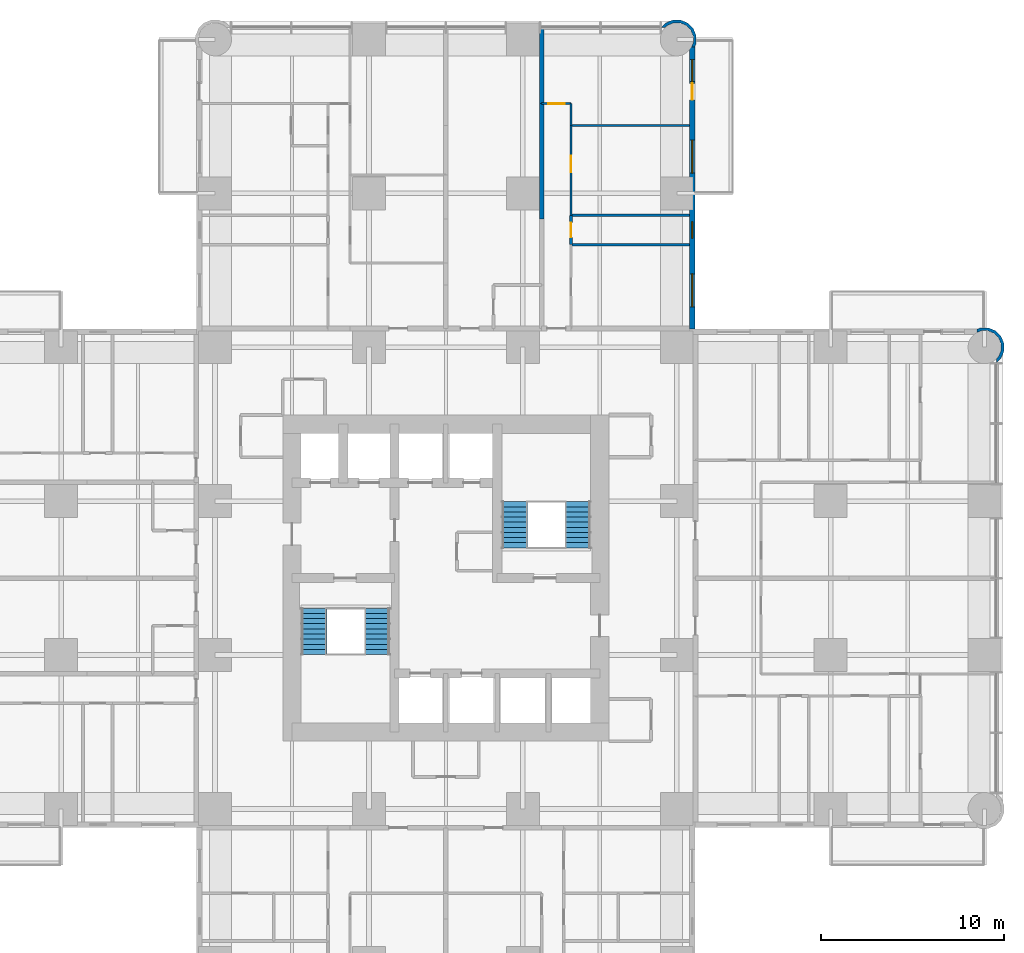
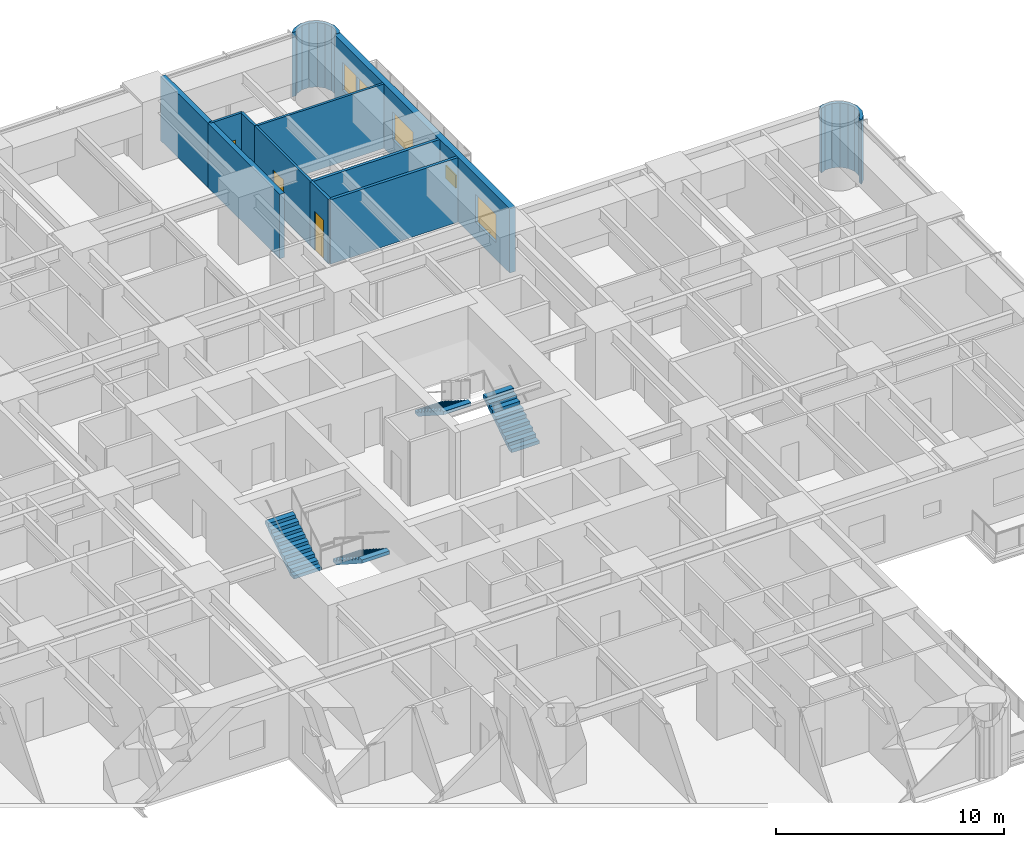
# One storey, part 15 of 17: 12 walls, 4 doors, 4 stair flights, 4 windows, 8 openings, 2 elements without a shape of their own.
"""IFC4 building model written with IfcOpenShell, lengths in metres."""

from ifc_helpers import new_model, si_unit, direction, frame, frame_2d, origin, place, context, subcontext, project, spatial, polyline, rectangle, outline, extrude, material, layer, layer_set, type_object, element, fill, aggregate, save


model = new_model("IFC4")

# Units and contexts
model_context = context("Model", 3, precision=1e-05, world=origin(), true_north=direction((0.0, 1.0)))
body_context = subcontext(model_context, "Body", "Model", "MODEL_VIEW")
ifc_project = project(units=[si_unit("LENGTHUNIT", "METRE"), si_unit("AREAUNIT", "SQUARE_METRE"), si_unit("VOLUMEUNIT", "CUBIC_METRE"), si_unit("PLANEANGLEUNIT", "RADIAN"), si_unit("MASSUNIT", "GRAM", prefix="KILO")], contexts=[model_context])

# Site, building, storey
site_placement = place(None, origin())
site = spatial("IfcSite", under=ifc_project, at=site_placement, CompositionType="ELEMENT")
building_placement = place(site_placement, origin())
building = spatial("IfcBuilding", under=site, at=building_placement, Name="Torre Alcanfor", CompositionType="ELEMENT")
storey_placement = place(building_placement, frame((0.0, 0.0, 63.300048828125)))
storey = spatial("IfcBuildingStorey", under=building, at=storey_placement, Name="L15", CompositionType="ELEMENT", Elevation=63.300048828125)

# Wall, opening, door
ifc_material_1 = material(Name="Gypsum board on steel studs", Category="steel")
ifc_layer_1 = layer(ifc_material_1, 0.1201171875)
ifc_layer_set_1 = layer_set([ifc_layer_1], Name="Apartment partition 120")
wall_type_1 = type_object("IfcWallType", Name="Apartment partition 120", PredefinedType="PARTITIONING", material=ifc_layer_set_1)
wall_1_placement = place(storey_placement, frame((36.22900390625, 54.10009765625, 0.0), z_axis=(0.0, 0.0, 1.0), x_axis=(0.0, -1.0, 0.0)))
wall_1 = element("IfcWall", 1, at=wall_1_placement, inside=storey, type_object=wall_type_1, Name="Partition L15-N2B-HALL / L15-N2B-MASTER", PredefinedType="PARTITIONING", context=body_context, shape_type="SweptSolid", body=[
    extrude(rectangle(XDim=4.900146484375, YDim=0.1201171875, at=frame_2d((2.4501953125, 0.0))), origin(), (0.0, 0.0, 1.0), 3.449951171875),
])
opening_1_placement = place(wall_1_placement, frame((1.64990234375, 0.0, 0.0)))
opening_1 = element("IfcOpeningElement", 2, at=opening_1_placement, cuts=wall_1, Name="Opening D-R1", PredefinedType="OPENING", context=body_context, shape_type="SweptSolid", body=[
    extrude(rectangle(XDim=0.89990234375, YDim=2.10009765625, at=frame_2d((0.449951171875, 1.050048828125))), frame((0.0, 0.070068359375, 0.0), z_axis=(0.0, -1.0, 0.0), x_axis=(1.0, 0.0, 0.0)), (0.0, 0.0, 1.0), 0.14013671875),
])
ifc_material_2 = material(Name="Timber", Category="wood")
door_type_1 = type_object("IfcDoorType", Name="Internal door 900x2100", OperationType="SINGLE_SWING_LEFT", PredefinedType="DOOR", material=ifc_material_2)
door_1_placement = place(opening_1_placement, origin())
door_1 = element("IfcDoor", 3, at=door_1_placement, inside=storey, type_object=door_type_1, Name="Door L15-N2B master", OperationType="SINGLE_SWING_LEFT", OverallHeight=2.10009765625, OverallWidth=0.89990234375, PredefinedType="DOOR", context=body_context, shape_type="SweptSolid", body=[
    extrude(rectangle(XDim=0.89990234375, YDim=2.10009765625, at=frame_2d((0.449951171875, 1.050048828125))), frame((0.0, 0.02490234375, 0.0), z_axis=(0.0, -1.0, 0.0), x_axis=(1.0, 0.0, 0.0)), (0.0, 0.0, 1.0), 0.050048828125),
])
fill(opening_1, door_1)

# Wall
wall_2_placement = place(storey_placement, frame((36.22900390625, 55.300048828125, 0.0), z_axis=(0.0, 0.0, 1.0), x_axis=(0.0, -1.0, 0.0)))
element("IfcWall", 4, at=wall_2_placement, inside=storey, type_object=wall_type_1, Name="Partition L15-N2B-HALL / L15-N2B-KITCHEN", PredefinedType="PARTITIONING", context=body_context, shape_type="SweptSolid", body=[
    extrude(rectangle(XDim=1.199951171875, YDim=0.1201171875, at=frame_2d((0.60009765625, 0.0))), origin(), (0.0, 0.0, 1.0), 3.449951171875),
])

# Wall, opening, door
wall_3_placement = place(storey_placement, frame((34.62890625, 55.300048828125, 0.0), z_axis=(0.0, 0.0, 1.0), x_axis=(1.0, 0.0, 0.0)))
wall_3 = element("IfcWall", 5, at=wall_3_placement, inside=storey, type_object=wall_type_1, Name="Partition L15-N2B-HALL / L15-N2B-LIVING", PredefinedType="PARTITIONING", context=body_context, shape_type="SweptSolid", body=[
    extrude(rectangle(XDim=1.60009765625, YDim=0.1201171875, at=frame_2d((0.800048828125, 0.0))), origin(), (0.0, 0.0, 1.0), 3.449951171875),
])
opening_2_placement = place(wall_3_placement, frame((0.35009765625, 0.0, 0.0)))
opening_2 = element("IfcOpeningElement", 6, at=opening_2_placement, cuts=wall_3, Name="Opening D-R1", PredefinedType="OPENING", context=body_context, shape_type="SweptSolid", body=[
    extrude(rectangle(XDim=0.89990234375, YDim=2.10009765625, at=frame_2d((0.449951171875, 1.050048828125))), frame((0.0, 0.070068359375, 0.0), z_axis=(0.0, -1.0, 0.0), x_axis=(1.0, 0.0, 0.0)), (0.0, 0.0, 1.0), 0.14013671875),
])
door_2_placement = place(opening_2_placement, origin())
door_2 = element("IfcDoor", 7, at=door_2_placement, inside=storey, type_object=door_type_1, Name="Door L15-N2B living", OperationType="SINGLE_SWING_LEFT", OverallHeight=2.10009765625, OverallWidth=0.89990234375, PredefinedType="DOOR", context=body_context, shape_type="SweptSolid", body=[
    extrude(rectangle(XDim=0.89990234375, YDim=2.10009765625, at=frame_2d((0.449951171875, 1.050048828125))), frame((0.0, 0.02490234375, 0.0), z_axis=(0.0, -1.0, 0.0), x_axis=(1.0, 0.0, 0.0)), (0.0, 0.0, 1.0), 0.050048828125),
])
fill(opening_2, door_2)

# Wall
wall_4_placement = place(storey_placement, frame((36.22900390625, 54.10009765625, 0.0), z_axis=(0.0, 0.0, 1.0), x_axis=(1.0, 0.0, 0.0)))
element("IfcWall", 8, at=wall_4_placement, inside=storey, type_object=wall_type_1, Name="Partition L15-N2B-MASTER / L15-N2B-KITCHEN", PredefinedType="PARTITIONING", context=body_context, shape_type="SweptSolid", body=[
    extrude(rectangle(XDim=6.470947265625, YDim=0.1201171875, at=frame_2d((3.2353515625, 0.0))), origin(), (0.0, 0.0, 1.0), 3.449951171875),
])

# Wall, openings, door, windows
ifc_material_3 = material(Name="Limestone cladding", Category="masonry")
ifc_layer_2 = layer(ifc_material_3, 0.0400390625, Name="Facing")
ifc_material_4 = material(Name="Ventilated air cavity")
ifc_layer_3 = layer(ifc_material_4, 0.02001953125, ventilated=True, Name="Ventilated joint")
ifc_material_5 = material(Name="Mineral wool insulation", Category="insulation")
ifc_layer_4 = layer(ifc_material_5, 0.10009765625, Name="Insulation")
ifc_material_6 = material(Name="Concrete f'c 35 MPa", Category="concrete")
ifc_layer_5 = layer(ifc_material_6, 0.139892578125, Name="Backing")
ifc_layer_set_2 = layer_set([ifc_layer_2, ifc_layer_3, ifc_layer_4, ifc_layer_5], Name="External wall stone-clad 300")
wall_type_2 = type_object("IfcWallType", Name="External wall stone-clad 300", PredefinedType="SOLIDWALL", material=ifc_layer_set_2)
wall_5_placement = place(storey_placement, frame((42.85009765625, 43.0, 0.0), z_axis=(0.0, 0.0, 1.0), x_axis=(0.0, 1.0, 0.0)))
wall_5 = element("IfcWall", 9, at=wall_5_placement, inside=storey, type_object=wall_type_2, Name="External wall L15 10", PredefinedType="SOLIDWALL", context=body_context, shape_type="SweptSolid", body=[
    extrude(rectangle(XDim=15.39990234375, YDim=0.300048828125, at=frame_2d((7.699951171875, 0.0))), origin(), (0.0, 0.0, 1.0), 3.449951171875),
])
opening_3_placement = place(wall_5_placement, frame((1.199951171875, 0.0, 0.89990234375)))
opening_3 = element("IfcOpeningElement", 10, at=opening_3_placement, cuts=wall_5, Name="Opening W2", PredefinedType="OPENING", context=body_context, shape_type="SweptSolid", body=[
    extrude(rectangle(XDim=1.800048828125, YDim=1.5, at=frame_2d((0.89990234375, 0.75))), frame((0.0, 0.159912109375, 0.0), z_axis=(0.0, -1.0, 0.0), x_axis=(1.0, 0.0, 0.0)), (0.0, 0.0, 1.0), 0.320068359375),
])
opening_4_placement = place(wall_5_placement, frame((4.949951171875, 0.0, 1.5)))
opening_4 = element("IfcOpeningElement", 11, at=opening_4_placement, cuts=wall_5, Name="Opening W3", PredefinedType="OPENING", context=body_context, shape_type="SweptSolid", body=[
    extrude(rectangle(XDim=0.89990234375, YDim=0.699951171875, at=frame_2d((0.449951171875, 0.35009765625))), frame((0.0, 0.159912109375, 0.0), z_axis=(0.0, -1.0, 0.0), x_axis=(1.0, 0.0, 0.0)), (0.0, 0.0, 1.0), 0.320068359375),
])
opening_5_placement = place(wall_5_placement, frame((8.5, 0.0, 0.89990234375)))
opening_5 = element("IfcOpeningElement", 12, at=opening_5_placement, cuts=wall_5, Name="Opening W2", PredefinedType="OPENING", context=body_context, shape_type="SweptSolid", body=[
    extrude(rectangle(XDim=1.800048828125, YDim=1.5, at=frame_2d((0.89990234375, 0.75))), frame((0.0, 0.159912109375, 0.0), z_axis=(0.0, -1.0, 0.0), x_axis=(1.0, 0.0, 0.0)), (0.0, 0.0, 1.0), 0.320068359375),
])
opening_6_placement = place(wall_5_placement, frame((12.5, 0.0, 0.0)))
opening_6 = element("IfcOpeningElement", 13, at=opening_6_placement, cuts=wall_5, Name="Opening D-B1", PredefinedType="OPENING", context=body_context, shape_type="SweptSolid", body=[
    extrude(rectangle(XDim=0.89990234375, YDim=2.39990234375, at=frame_2d((0.449951171875, 1.199951171875))), frame((0.0, 0.159912109375, 0.0), z_axis=(0.0, -1.0, 0.0), x_axis=(1.0, 0.0, 0.0)), (0.0, 0.0, 1.0), 0.320068359375),
])
opening_7_placement = place(wall_5_placement, frame((13.5, 0.0, 0.89990234375)))
opening_7 = element("IfcOpeningElement", 14, at=opening_7_placement, cuts=wall_5, Name="Opening W4", PredefinedType="OPENING", context=body_context, shape_type="SweptSolid", body=[
    extrude(rectangle(XDim=1.199951171875, YDim=1.5, at=frame_2d((0.60009765625, 0.75))), frame((0.0, 0.159912109375, 0.0), z_axis=(0.0, -1.0, 0.0), x_axis=(1.0, 0.0, 0.0)), (0.0, 0.0, 1.0), 0.320068359375),
])
ifc_material_7 = material(Name="Aluminium and glass", Category="aluminium")
door_type_2 = type_object("IfcDoorType", Name="Balcony door glazed 900x2400", OperationType="SINGLE_SWING_LEFT", PredefinedType="DOOR", material=ifc_material_7)
door_3_placement = place(opening_6_placement, origin())
door_3 = element("IfcDoor", 15, at=door_3_placement, inside=storey, type_object=door_type_2, Name="Balcony door L15-N2", OperationType="SINGLE_SWING_LEFT", OverallHeight=2.39990234375, OverallWidth=0.89990234375, PredefinedType="DOOR", context=body_context, shape_type="SweptSolid", body=[
    extrude(rectangle(XDim=0.89990234375, YDim=2.39990234375, at=frame_2d((0.449951171875, 1.199951171875))), frame((0.0, 0.02490234375, 0.0), z_axis=(0.0, -1.0, 0.0), x_axis=(1.0, 0.0, 0.0)), (0.0, 0.0, 1.0), 0.050048828125),
])
fill(opening_6, door_3)
ifc_material_8 = material(Name="Aluminium frame with clear double glazing", Category="aluminium")
window_type_1 = type_object("IfcWindowType", Name="Window bathroom 900x700", PartitioningType="SINGLE_PANEL", PredefinedType="WINDOW", material=ifc_material_8)
window_1_placement = place(opening_4_placement, origin())
window_1 = element("IfcWindow", 16, at=window_1_placement, inside=storey, type_object=window_type_1, Name="Window W3 L15-N2", OverallHeight=0.699951171875, OverallWidth=0.89990234375, PartitioningType="SINGLE_PANEL", PredefinedType="WINDOW", context=body_context, shape_type="SweptSolid", body=[
    extrude(rectangle(XDim=0.89990234375, YDim=0.699951171875, at=frame_2d((0.449951171875, 0.35009765625))), frame((0.0, 0.030029296875, 0.0), z_axis=(0.0, -1.0, 0.0), x_axis=(1.0, 0.0, 0.0)), (0.0, 0.0, 1.0), 0.06005859375),
])
fill(opening_4, window_1)
ifc_material_9 = material(Name="Aluminium frame with clear double glazing", Category="aluminium")
window_type_2 = type_object("IfcWindowType", Name="Window bedroom 1200x1500", PartitioningType="SINGLE_PANEL", PredefinedType="WINDOW", material=ifc_material_9)
window_2_placement = place(opening_7_placement, origin())
window_2 = element("IfcWindow", 17, at=window_2_placement, inside=storey, type_object=window_type_2, Name="Window W4 L15-N2", OverallHeight=1.5, OverallWidth=1.199951171875, PartitioningType="SINGLE_PANEL", PredefinedType="WINDOW", context=body_context, shape_type="SweptSolid", body=[
    extrude(rectangle(XDim=1.199951171875, YDim=1.5, at=frame_2d((0.60009765625, 0.75))), frame((0.0, 0.030029296875, 0.0), z_axis=(0.0, -1.0, 0.0), x_axis=(1.0, 0.0, 0.0)), (0.0, 0.0, 1.0), 0.06005859375),
])
fill(opening_7, window_2)
ifc_material_10 = material(Name="Aluminium frame with clear double glazing", Category="aluminium")
window_type_3 = type_object("IfcWindowType", Name="Window bedroom 1800x1500", PartitioningType="SINGLE_PANEL", PredefinedType="WINDOW", material=ifc_material_10)
window_3_placement = place(opening_3_placement, origin())
window_3 = element("IfcWindow", 18, at=window_3_placement, inside=storey, type_object=window_type_3, Name="Window W2 L15-N2", OverallHeight=1.5, OverallWidth=1.800048828125, PartitioningType="SINGLE_PANEL", PredefinedType="WINDOW", context=body_context, shape_type="SweptSolid", body=[
    extrude(rectangle(XDim=1.800048828125, YDim=1.5, at=frame_2d((0.89990234375, 0.75))), frame((0.0, 0.030029296875, 0.0), z_axis=(0.0, -1.0, 0.0), x_axis=(1.0, 0.0, 0.0)), (0.0, 0.0, 1.0), 0.06005859375),
])
fill(opening_3, window_3)
window_4_placement = place(opening_5_placement, origin())
window_4 = element("IfcWindow", 19, at=window_4_placement, inside=storey, type_object=window_type_3, Name="Window W2 L15-N2", OverallHeight=1.5, OverallWidth=1.800048828125, PartitioningType="SINGLE_PANEL", PredefinedType="WINDOW", context=body_context, shape_type="SweptSolid", body=[
    extrude(rectangle(XDim=1.800048828125, YDim=1.5, at=frame_2d((0.89990234375, 0.75))), frame((0.0, 0.030029296875, 0.0), z_axis=(0.0, -1.0, 0.0), x_axis=(1.0, 0.0, 0.0)), (0.0, 0.0, 1.0), 0.06005859375),
])
fill(opening_5, window_4)

# Walls
ifc_material_11 = material(Name="Concrete block masonry, hollow blocks NMX-C-404 9 MPa", Category="masonry")
ifc_layer_6 = layer(ifc_material_11, 0.25)
ifc_layer_set_3 = layer_set([ifc_layer_6], Name="Party wall 250 EI 60")
wall_type_3 = type_object("IfcWallType", Name="Party wall 250 EI 60", PredefinedType="PARTITIONING", material=ifc_layer_set_3)
wall_6_placement = place(storey_placement, frame((34.62890625, 55.300048828125, 0.0), z_axis=(0.0, 0.0, 1.0), x_axis=(0.0, -1.0, 0.0)))
element("IfcWall", 20, at=wall_6_placement, inside=storey, type_object=wall_type_3, Name="Partition L15-N2A-STUDIO / L15-N2B-HALL", PredefinedType="PARTITIONING", context=body_context, shape_type="SweptSolid", body=[
    extrude(rectangle(XDim=6.300048828125, YDim=0.25, at=frame_2d((3.14990234375, 0.0))), origin(), (0.0, 0.0, 1.0), 3.449951171875),
])
wall_7_placement = place(storey_placement, frame((34.62890625, 59.449951171875, 0.0), z_axis=(0.0, 0.0, 1.0), x_axis=(0.0, -1.0, 0.0)))
element("IfcWall", 21, at=wall_7_placement, inside=storey, type_object=wall_type_3, Name="Partition L15-N2A-STUDIO / L15-N2B-LIVING", PredefinedType="PARTITIONING", context=body_context, shape_type="SweptSolid", body=[
    extrude(rectangle(XDim=4.14990234375, YDim=0.25, at=frame_2d((2.074951171875, 0.0))), origin(), (0.0, 0.0, 1.0), 3.449951171875),
])
ifc_layer_7 = layer(ifc_material_3, 0.0400390625, Name="Facing")
ifc_layer_8 = layer(ifc_material_4, 0.02001953125, ventilated=True, Name="Ventilated joint")
ifc_layer_9 = layer(ifc_material_5, 0.10009765625, Name="Insulation")
ifc_layer_10 = layer(ifc_material_6, 0.139892578125, Name="Backing")
ifc_layer_set_4 = layer_set([ifc_layer_7, ifc_layer_8, ifc_layer_9, ifc_layer_10], Name="Rounded corner pier stone-clad 300")
wall_type_4 = type_object("IfcWallType", Name="Rounded corner pier stone-clad 300", PredefinedType="SOLIDWALL", material=ifc_layer_set_4)
wall_8_placement = place(storey_placement, frame((59.410519256, 41.23340608, 0.0), z_axis=(0.0, 0.0, 1.0), x_axis=(0.926129809145, 0.377204953059, 0.0)))
element("IfcWall", 22, at=wall_8_placement, inside=storey, type_object=wall_type_4, Name="Corner pier L15 18", PredefinedType="SOLIDWALL", context=body_context, shape_type="SweptSolid", body=[
    extrude(outline(polyline([(0.6260654471319579, 0.34524919711057256), (0.7850146045978224, 0.7355079985228963), (0.7823098124660501, 1.1573373086599013), (0.6187697625812524, 1.546081906916958), (0.31877691555394516, 1.8425152342918512), (-0.07170799176881437, 2.0015564828107086), (-0.24004949470661174, 2.000526523212158), (-0.2695944713928893, 2.0173049949130335), (-0.36998902843916337, 1.8407134525266757), (-0.10235758996356603, 1.8421635923174307), (0.22956588655630128, 1.7069739265237522), (0.4845024203782949, 1.4552530429107593), (0.6236098424040335, 1.1249645948716174), (0.6257138051575375, 0.7663837026280839), (0.49052413936385914, 0.43446022610821644), (0.23848505878743742, 0.1793896774287799), (0.09020527382959523, 0.11693875386038477), (0.010914877202648991, -0.0777384350249053), (0.02448123182880161, -0.08326389820448342), (0.32940601384662893, 0.045348441136258355), (0.47997135267738844, 0.19755163478368112), (0.49907282709518125, 0.19267151555903828), (0.5076193949673722, 0.22530566424262682), (0.6260654471319579, 0.34524919711057256)])), origin(), (0.0, 0.0, 1.0), 3.449951171875),
])
wall_9_placement = place(storey_placement, frame((42.909907157, 58.436037137, 0.0), z_axis=(0.0, 0.0, 1.0), x_axis=(0.377204953059, 0.926129809145, 0.0)))
element("IfcWall", 23, at=wall_9_placement, inside=storey, type_object=wall_type_4, Name="Corner pier L15 19", PredefinedType="SOLIDWALL", context=body_context, shape_type="SweptSolid", body=[
    extrude(outline(polyline([(0.7691852559267269, 1.7275655888693722), (0.7500837815089341, 1.7226854696447296), (0.5995184426781746, 1.8748886632921522), (0.2945936606603473, 2.0035010026328943), (0.2810273060341947, 1.997975539453316), (0.36031770266114094, 1.803298350568026), (0.5085974876189833, 1.7408474269996308), (0.7606365681954048, 1.4857768783201941), (0.8958262339890831, 1.1538534018003268), (0.8937222712355792, 0.7952725095567933), (0.7546148492098406, 0.46498406151765126), (0.499678315387847, 0.21326317790465843), (0.16775483886797962, 0.07807351211098004), (-0.09987659960761772, 0.07952365190173498), (0.0005179574386563676, -0.09706789048462287), (0.030062934124933945, -0.08028941878374739), (0.19840443706273136, -0.08131937838229769), (0.5888893443854909, 0.07772187013655965), (0.888882191412798, 0.3741551975114527), (1.0524222412975957, 0.7628997957685094), (1.0551270334293679, 1.1847291059055145), (0.8961778759635035, 1.5749879073178383), (0.7777318237989179, 1.6949314401857838), (0.7691852559267269, 1.7275655888693722)])), origin(), (0.0, 0.0, 1.0), 3.449951171875),
])

# Wall, opening, door
ifc_material_12 = material(Name="Cement board on steel studs", Category="steel")
ifc_layer_11 = layer(ifc_material_12, 0.14990234375)
ifc_layer_set_5 = layer_set([ifc_layer_11], Name="Wet area partition 150")
wall_type_5 = type_object("IfcWallType", Name="Wet area partition 150", PredefinedType="PARTITIONING", material=ifc_layer_set_5)
wall_10_placement = place(storey_placement, frame((36.22900390625, 49.199951171875, 0.0), z_axis=(0.0, 0.0, 1.0), x_axis=(0.0, -1.0, 0.0)))
wall_10 = element("IfcWall", 24, at=wall_10_placement, inside=storey, type_object=wall_type_5, Name="Partition L15-N2B-HALL / L15-N2B-BATH", PredefinedType="PARTITIONING", context=body_context, shape_type="SweptSolid", body=[
    extrude(rectangle(XDim=1.599853515625, YDim=0.14990234375, at=frame_2d((0.7998046875, 0.0))), origin(), (0.0, 0.0, 1.0), 3.449951171875),
])
opening_8_placement = place(wall_10_placement, frame((0.39990234375, 0.0, 0.0)))
opening_8 = element("IfcOpeningElement", 25, at=opening_8_placement, cuts=wall_10, Name="Opening D-R2", PredefinedType="OPENING", context=body_context, shape_type="SweptSolid", body=[
    extrude(rectangle(XDim=0.800048828125, YDim=2.10009765625, at=frame_2d((0.39990234375, 1.050048828125))), frame((0.0, 0.0849609375, 0.0), z_axis=(0.0, -1.0, 0.0), x_axis=(1.0, 0.0, 0.0)), (0.0, 0.0, 1.0), 0.169921875),
])
ifc_material_13 = material(Name="Timber", Category="wood")
door_type_3 = type_object("IfcDoorType", Name="Bathroom door 800x2100", OperationType="SINGLE_SWING_LEFT", PredefinedType="DOOR", material=ifc_material_13)
door_4_placement = place(opening_8_placement, origin())
door_4 = element("IfcDoor", 26, at=door_4_placement, inside=storey, type_object=door_type_3, Name="Door L15-N2B bath", OperationType="SINGLE_SWING_LEFT", OverallHeight=2.10009765625, OverallWidth=0.800048828125, PredefinedType="DOOR", context=body_context, shape_type="SweptSolid", body=[
    extrude(rectangle(XDim=0.800048828125, YDim=2.10009765625, at=frame_2d((0.39990234375, 1.050048828125))), frame((0.0, 0.02490234375, 0.0), z_axis=(0.0, -1.0, 0.0), x_axis=(1.0, 0.0, 0.0)), (0.0, 0.0, 1.0), 0.050048828125),
])
fill(opening_8, door_4)

# Walls
for number, where, z_axis, x_axis, name in (
    (27, (36.22900390625, 47.60009765625, 0.0), (0.0, 0.0, 1.0), (1.0, 0.0, 0.0), "Partition L15-N2B-BED2 / L15-N2B-BATH"),
    (28, (36.22900390625, 49.199951171875, 0.0), (0.0, 0.0, 1.0), (1.0, 0.0, 0.0), "Partition L15-N2B-BATH / L15-N2B-MASTER"),
):
    element("IfcWall", number, at=place(storey_placement, frame(where, z_axis=z_axis, x_axis=x_axis)), inside=storey, type_object=wall_type_5, Name=name, PredefinedType="PARTITIONING", context=body_context, shape_type="SweptSolid", body=[
        extrude(rectangle(XDim=6.470947265625, YDim=0.14990234375, at=frame_2d((3.2353515625, 0.0))), origin(), (0.0, 0.0, 1.0), 3.449951171875),
    ])

# Stair, stair flights
ifc_material_14 = material(Name="Concrete f'c 35 MPa", Category="concrete")
stair_type_1 = type_object("IfcStairType", Name="Exit stair S1 1400 wide", PredefinedType="HALF_TURN_STAIR", material=ifc_material_14)
stair_1_placement = place(storey_placement, origin())
stair_1 = element("IfcStair", 29, at=stair_1_placement, inside=storey, type_object=stair_type_1, Name="Stair S1 L15 to L16", PredefinedType="HALF_TURN_STAIR")
ifc_material_15 = material(Name="Concrete f'c 35 MPa", Category="concrete")
stair_flight_type = type_object("IfcStairFlightType", Name="Stair flight 1400", PredefinedType="STRAIGHT", material=ifc_material_15)
stair_flight_1_placement = place(storey_placement, frame((25.64990234375, 27.75, 0.0), z_axis=(0.0, 0.0, 1.0), x_axis=(0.0, -1.0, 0.0)))
stair_flight_1 = element("IfcStairFlight", 30, at=stair_flight_1_placement, type_object=stair_flight_type, Name="S1 flight 1", NumberOfRisers=10, NumberOfTreads=9, PredefinedType="STRAIGHT", RiserHeight=0.18, TreadLength=0.28, context=body_context, shape_type="SweptSolid", body=[
    extrude(outline(polyline([(0.0, 0.0), (0.0, 0.179931640625), (0.280029296875, 0.179931640625), (0.280029296875, 0.360107421875), (0.56005859375, 0.360107421875), (0.56005859375, 0.5400390625), (0.840087890625, 0.5400390625), (0.840087890625, 0.719970703125), (1.1201171875, 0.719970703125), (1.1201171875, 0.89990234375), (1.39990234375, 0.89990234375), (1.39990234375, 1.080078125), (1.679931640625, 1.080078125), (1.679931640625, 1.260009765625), (1.9599609375, 1.260009765625), (1.9599609375, 1.43994140625), (2.239990234375, 1.43994140625), (2.239990234375, 1.6201171875), (2.52001953125, 1.6201171875), (2.52001953125, 1.800048828125), (2.52001953125, 1.44189453125), (0.277099609375, 0.0), (0.0, 0.0)])), frame((0.0, 0.699951171875, 0.0), z_axis=(0.0, -1.0, 0.0), x_axis=(1.0, 0.0, 0.0)), (0.0, 0.0, 1.0), 1.39990234375),
])
stair_flight_2_placement = place(storey_placement, frame((22.199951171875, 25.22998046875, 1.800048828125), z_axis=(0.0, 0.0, 1.0), x_axis=(0.0, 1.0, 0.0)))
stair_flight_2 = element("IfcStairFlight", 31, at=stair_flight_2_placement, type_object=stair_flight_type, Name="S1 flight 2", NumberOfRisers=10, NumberOfTreads=9, PredefinedType="STRAIGHT", RiserHeight=0.18, TreadLength=0.28, context=body_context, shape_type="SweptSolid", body=[
    extrude(outline(polyline([(0.0, 0.0), (0.0, 0.179931640625), (0.280029296875, 0.179931640625), (0.280029296875, 0.360107421875), (0.56005859375, 0.360107421875), (0.56005859375, 0.5400390625), (0.840087890625, 0.5400390625), (0.840087890625, 0.719970703125), (1.1201171875, 0.719970703125), (1.1201171875, 0.89990234375), (1.39990234375, 0.89990234375), (1.39990234375, 1.080078125), (1.679931640625, 1.080078125), (1.679931640625, 1.260009765625), (1.9599609375, 1.260009765625), (1.9599609375, 1.43994140625), (2.239990234375, 1.43994140625), (2.239990234375, 1.6201171875), (2.52001953125, 1.6201171875), (2.52001953125, 1.800048828125), (2.52001953125, 1.44189453125), (0.277099609375, 0.0), (0.0, 0.0)])), frame((0.0, 0.699951171875, 0.0), z_axis=(0.0, -1.0, 0.0), x_axis=(1.0, 0.0, 0.0)), (0.0, 0.0, 1.0), 1.39990234375),
])
aggregate(stair_1, [stair_flight_1, stair_flight_2])

ifc_material_16 = material(Name="Concrete f'c 35 MPa", Category="concrete")
stair_type_2 = type_object("IfcStairType", Name="Exit stair S2 1400 wide", PredefinedType="HALF_TURN_STAIR", material=ifc_material_16)
stair_2_placement = place(storey_placement, origin())
stair_2 = element("IfcStair", 32, at=stair_2_placement, inside=storey, type_object=stair_type_2, Name="Stair S2 L15 to L16", PredefinedType="HALF_TURN_STAIR")
stair_flight_3_placement = place(storey_placement, frame((36.60009765625, 31.050048828125, 0.0), z_axis=(0.0, 0.0, 1.0), x_axis=(0.0, 1.0, 0.0)))
stair_flight_3 = element("IfcStairFlight", 33, at=stair_flight_3_placement, type_object=stair_flight_type, Name="S2 flight 1", NumberOfRisers=10, NumberOfTreads=9, PredefinedType="STRAIGHT", RiserHeight=0.18, TreadLength=0.28, context=body_context, shape_type="SweptSolid", body=[
    extrude(outline(polyline([(0.0, 0.0), (0.0, 0.179931640625), (0.280029296875, 0.179931640625), (0.280029296875, 0.360107421875), (0.56005859375, 0.360107421875), (0.56005859375, 0.5400390625), (0.840087890625, 0.5400390625), (0.840087890625, 0.719970703125), (1.1201171875, 0.719970703125), (1.1201171875, 0.89990234375), (1.39990234375, 0.89990234375), (1.39990234375, 1.080078125), (1.679931640625, 1.080078125), (1.679931640625, 1.260009765625), (1.9599609375, 1.260009765625), (1.9599609375, 1.43994140625), (2.239990234375, 1.43994140625), (2.239990234375, 1.6201171875), (2.52001953125, 1.6201171875), (2.52001953125, 1.800048828125), (2.52001953125, 1.44189453125), (0.277099609375, 0.0), (0.0, 0.0)])), frame((0.0, 0.699951171875, 0.0), z_axis=(0.0, -1.0, 0.0), x_axis=(1.0, 0.0, 0.0)), (0.0, 0.0, 1.0), 1.39990234375),
])
stair_flight_4_placement = place(storey_placement, frame((33.14990234375, 33.570068359375, 1.800048828125), z_axis=(0.0, 0.0, 1.0), x_axis=(0.0, -1.0, 0.0)))
stair_flight_4 = element("IfcStairFlight", 34, at=stair_flight_4_placement, type_object=stair_flight_type, Name="S2 flight 2", NumberOfRisers=10, NumberOfTreads=9, PredefinedType="STRAIGHT", RiserHeight=0.18, TreadLength=0.28, context=body_context, shape_type="SweptSolid", body=[
    extrude(outline(polyline([(0.0, 0.0), (0.0, 0.179931640625), (0.280029296875, 0.179931640625), (0.280029296875, 0.360107421875), (0.56005859375, 0.360107421875), (0.56005859375, 0.5400390625), (0.840087890625, 0.5400390625), (0.840087890625, 0.719970703125), (1.1201171875, 0.719970703125), (1.1201171875, 0.89990234375), (1.39990234375, 0.89990234375), (1.39990234375, 1.080078125), (1.679931640625, 1.080078125), (1.679931640625, 1.260009765625), (1.9599609375, 1.260009765625), (1.9599609375, 1.43994140625), (2.239990234375, 1.43994140625), (2.239990234375, 1.6201171875), (2.52001953125, 1.6201171875), (2.52001953125, 1.800048828125), (2.52001953125, 1.44189453125), (0.277099609375, 0.0), (0.0, 0.0)])), frame((0.0, 0.699951171875, 0.0), z_axis=(0.0, -1.0, 0.0), x_axis=(1.0, 0.0, 0.0)), (0.0, 0.0, 1.0), 1.39990234375),
])
aggregate(stair_2, [stair_flight_3, stair_flight_4])

save(model, "model.ifc")
